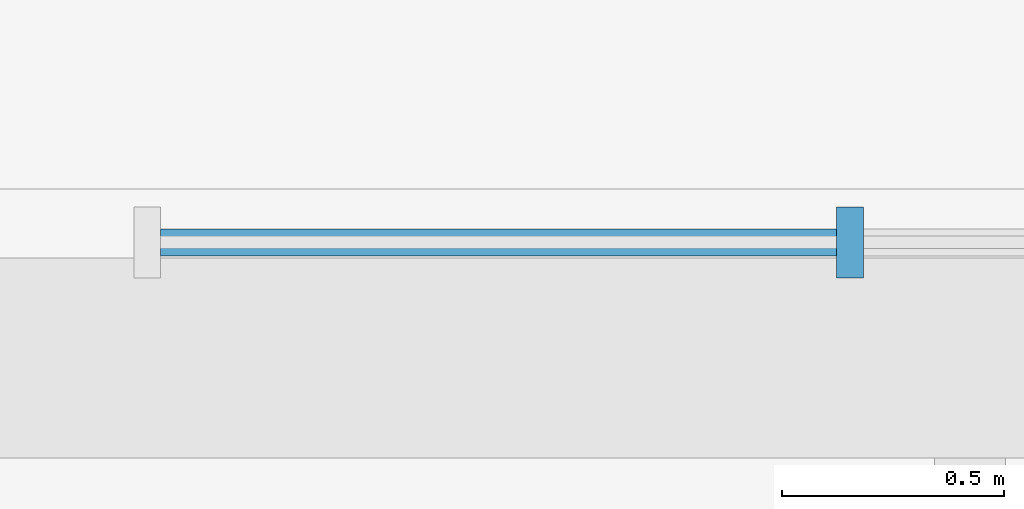
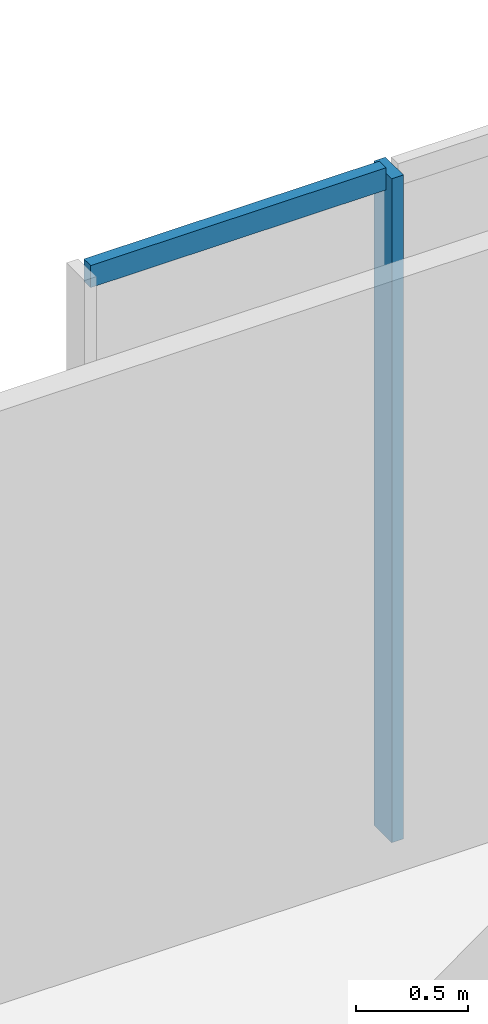
# One storey, part 18 of 77: 2 members, 1 element without a shape of its own.
"""IFC4 building model written with IfcOpenShell, lengths in metres."""

from ifc_helpers import new_model, si_unit, direction, frame, origin, origin_2d, place, context, subcontext, project, spatial, rectangle, extrude, material, layer, layer_set, material_profile, profile_set, type_object, element, aggregate, save


model = new_model("IFC4")

# Units and contexts
model_context = context("Model", 3, precision=1e-05, world=origin(), true_north=direction((0.0, 1.0)))
body_context = subcontext(model_context, "Body", "Model", "MODEL_VIEW")
ifc_project = project(units=[si_unit("LENGTHUNIT", "METRE"), si_unit("AREAUNIT", "SQUARE_METRE"), si_unit("VOLUMEUNIT", "CUBIC_METRE"), si_unit("PLANEANGLEUNIT", "RADIAN"), si_unit("MASSUNIT", "GRAM", prefix="KILO")], contexts=[model_context])

# Site, building, storey
site_placement = place(None, origin())
site = spatial("IfcSite", under=ifc_project, at=site_placement, CompositionType="ELEMENT")
building_placement = place(site_placement, origin())
building = spatial("IfcBuilding", under=site, at=building_placement, Name="Vardoun Plaza Health Centre", CompositionType="ELEMENT")
storey_placement = place(building_placement, origin())
storey = spatial("IfcBuildingStorey", under=building, at=storey_placement, Name="L00", CompositionType="ELEMENT", Elevation=0.0)

# Curtain wall, members
ifc_material_1 = material(Name="Aluminium Alloy EN AW-6063-T6 and Low-E Glass", Category="aluminium")
ifc_layer = layer(ifc_material_1, 0.14990234375)
ifc_layer_set = layer_set([ifc_layer], Name="Aluminium Alloy EN AW-6063-T6 and Low-E Glass")
curtain_wall_type = type_object("IfcCurtainWallType", Name="CW-03", PredefinedType="NOTDEFINED", material=ifc_layer_set)
curtain_wall_placement = place(storey_placement, origin())
curtain_wall = element("IfcCurtainWall", 1, at=curtain_wall_placement, inside=storey, type_object=curtain_wall_type, Name="Curtain Wall CW-V5-139", PredefinedType="NOTDEFINED")
ifc_material_2 = material(Name="Aluminium Alloy EN AW-6063-T6", Category="aluminium")
ifc_material_profile_1 = material_profile(ifc_material_2, rectangle(XDim=0.159912109375, YDim=0.06005859375, at=origin_2d()), Name="CWM 60x160")
ifc_profile_set_1 = profile_set([ifc_material_profile_1], Name="Aluminium Alloy EN AW-6063-T6")
member_type_1 = type_object("IfcMemberType", Name="CW-M1", PredefinedType="MULLION", material=ifc_profile_set_1)
member_1_placement = place(storey_placement, frame((130.550048828125, 18.780029296875, 0.0), z_axis=(0.0, 0.0, 1.0), x_axis=(0.0, 1.0, 0.0)))
member_1 = element("IfcMember", 2, at=member_1_placement, type_object=member_type_1, Name="CW-V5-139 mullion 2", PredefinedType="MULLION", context=body_context, shape_type="SweptSolid", body=[
    extrude(rectangle(XDim=0.159912109375, YDim=0.06005859375, at=origin_2d()), origin(), (0.0, 0.0, 1.0), 3.610107421875),
])
ifc_material_3 = material(Name="Aluminium Alloy EN AW-6063-T6", Category="aluminium")
ifc_material_profile_2 = material_profile(ifc_material_3, rectangle(XDim=0.06005859375, YDim=0.1201171875, at=origin_2d()), Name="CWT 60x120")
ifc_profile_set_2 = profile_set([ifc_material_profile_2], Name="Aluminium Alloy EN AW-6063-T6")
member_type_2 = type_object("IfcMemberType", Name="CW-T1", PredefinedType="USERDEFINED", material=ifc_profile_set_2)
member_2_placement = place(storey_placement, frame((129.0, 18.780029296875, 3.580078125), z_axis=(1.0, 0.0, 0.0), x_axis=(0.0, 1.0, 0.0)))
member_2 = element("IfcMember", 3, at=member_2_placement, type_object=member_type_2, Name="CW-V5-139 transom 1.3", ObjectType="TRANSOM", PredefinedType="USERDEFINED", context=body_context, shape_type="SweptSolid", body=[
    extrude(rectangle(XDim=0.06005859375, YDim=0.1201171875, at=origin_2d()), origin(), (0.0, 0.0, 1.0), 1.52001953125),
])
aggregate(curtain_wall, [member_1, member_2])

save(model, "model.ifc")
